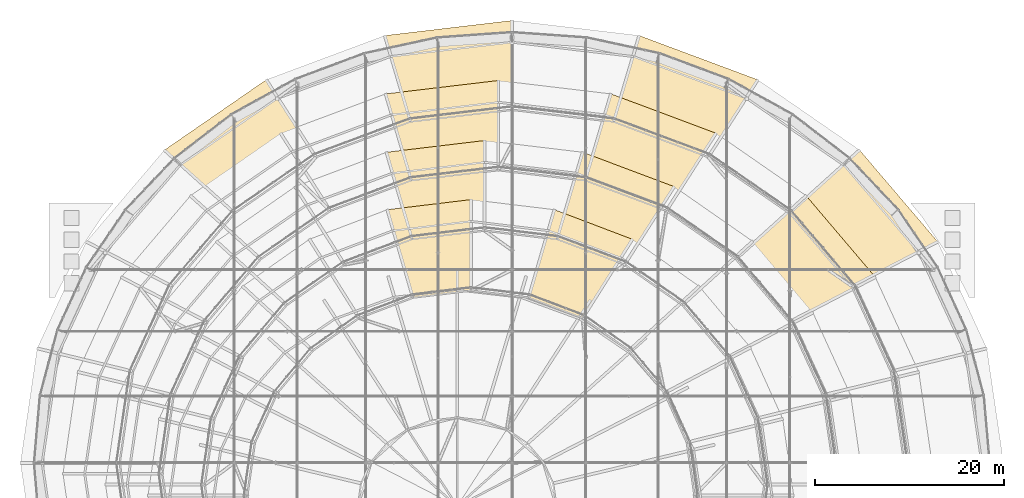
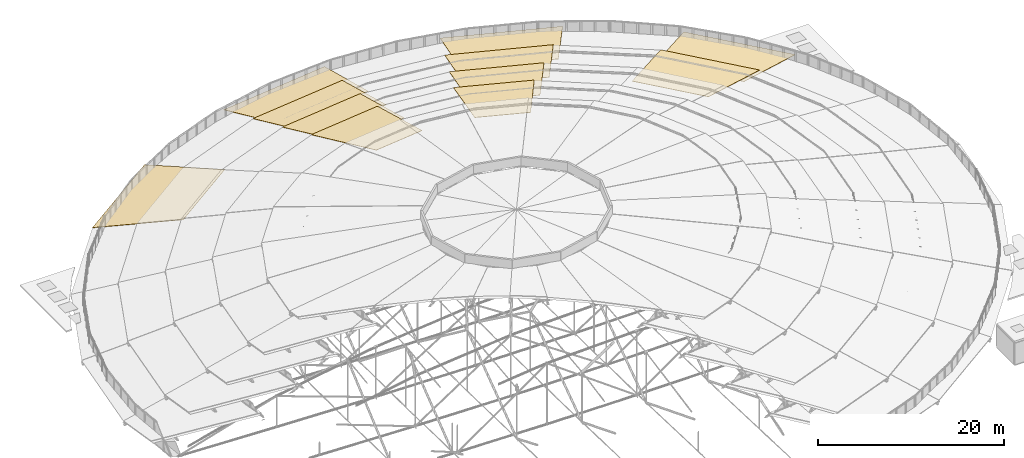
# One storey, part 173 of 173: 11 coverings.
"""IFC4 building model written with IfcOpenShell, lengths in metres."""

from ifc_helpers import new_model, si_unit, direction, frame, origin, place, context, subcontext, project, spatial, polyline, outline, extrude, material, layer, layer_set, type_object, element, save


model = new_model("IFC4")

# Units and contexts
model_context = context("Model", 3, precision=1e-05, world=origin(), true_north=direction((0.0, 1.0)))
body_context = subcontext(model_context, "Body", "Model", "MODEL_VIEW")
ifc_project = project(units=[si_unit("LENGTHUNIT", "METRE"), si_unit("AREAUNIT", "SQUARE_METRE"), si_unit("VOLUMEUNIT", "CUBIC_METRE"), si_unit("PLANEANGLEUNIT", "RADIAN"), si_unit("MASSUNIT", "GRAM", prefix="KILO")], contexts=[model_context])

# Site, building, storey
site_placement = place(None, origin())
site = spatial("IfcSite", under=ifc_project, at=site_placement, CompositionType="ELEMENT")
building_placement = place(site_placement, origin())
building = spatial("IfcBuilding", under=site, at=building_placement, Name="Glasvene Arena", CompositionType="ELEMENT")
storey_placement = place(building_placement, frame((0.0, 0.0, 28.800048828125)))
storey = spatial("IfcBuildingStorey", under=building, at=storey_placement, Name="RF", CompositionType="ELEMENT", Elevation=28.800048828125)

# Coverings
ifc_material = material(Name="Smooth matte white insulated roof panel")
ifc_layer = layer(ifc_material, 0.0400390625)
ifc_layer_set = layer_set([ifc_layer], Name="Smooth matte white insulated roof panel")
covering_type = type_object("IfcCoveringType", Name="COV-ROOF-PETAL", PredefinedType="ROOFING", material=ifc_layer_set)
covering_1_placement = place(storey_placement, frame((137.033203125, 96.39990234375, 0.0400390625), z_axis=(0.184821301548, 0.157573849317, 0.970057507834), x_axis=(-0.64878442939, 0.760972249285, -1.48321e-07)))
element("IfcCovering", 1, at=covering_1_placement, inside=storey, type_object=covering_type, Name="Matte white petal roof membrane 1-03", PredefinedType="ROOFING", context=body_context, shape_type="SweptSolid", body=[
    extrude(outline(polyline([(0.0, 0.0), (12.737161776082907, 0.0), (12.46918601935394, 10.293353925118693), (2.304083837361431, 10.293339939019024), (0.0, 0.0)])), origin(), (0.0, 0.0, -1.0), 0.0400390625),
])
covering_2_placement = place(storey_placement, frame((118.0, 113.530029296875, 0.0400390625), z_axis=(0.088876093687, 0.238411353806, 0.967088965063), x_axis=(-0.937009571992, 0.349303681624, -2.20372e-07)))
element("IfcCovering", 2, at=covering_2_placement, inside=storey, type_object=covering_type, Name="Matte white petal roof membrane 1-05", PredefinedType="ROOFING", context=body_context, shape_type="SweptSolid", body=[
    extrude(outline(polyline([(0.0, 0.0), (13.384606253981396, 0.0), (12.742537220942722, 9.825569358369075), (2.0606549970171906, 9.825548514118092), (0.0, 0.0)])), origin(), (0.0, 0.0, -1.0), 0.0400390625),
])
covering_3_placement = place(storey_placement, frame((92.0, 119.800048828125, 0.0400390625), z_axis=(-0.030290710869, 0.255636062325, 0.966298440687), x_axis=(-0.993052876715, -0.117668959578, 1.57217e-07)))
element("IfcCovering", 3, at=covering_3_placement, inside=storey, type_object=covering_type, Name="Matte white petal roof membrane 1-07", PredefinedType="ROOFING", context=body_context, shape_type="SweptSolid", body=[
    extrude(outline(polyline([(0.0, 0.0), (13.552648077575917, -2.220446049250313e-16), (11.928072174230536, 9.711581693708933), (1.1119663155016197, 9.711596576464993), (0.0, 0.0)])), origin(), (0.0, 0.0, -1.0), 0.0400390625),
])
covering_4_placement = place(storey_placement, frame((66.0, 113.530029296875, 0.0400390625), z_axis=(-0.141586340681, 0.205016773168, 0.968463438057), x_axis=(-0.822846991231, -0.568262992831, -4.6396e-07)))
element("IfcCovering", 4, at=covering_4_placement, inside=storey, type_object=covering_type, Name="Matte white petal roof membrane 1-09", PredefinedType="ROOFING", context=body_context, shape_type="SweptSolid", body=[
    extrude(outline(polyline([(0.0, 0.0), (13.088132395215418, 8.881784197001252e-16), (10.776060498855626, 10.033905998163355), (0.33062434870891233, 10.033862175654544), (0.0, 0.0)])), origin(), (0.0, 0.0, -1.0), 0.0400390625),
])
covering_5_placement = place(storey_placement, frame((130.430419921875, 92.64990234375, 2.58984375), z_axis=(0.188316180277, 0.159951608972, 0.968995613526), x_axis=(-0.647378458632, 0.762168702648, 1.783524e-06)))
element("IfcCovering", 5, at=covering_5_placement, inside=storey, type_object=covering_type, Name="Matte white petal roof membrane 2-03", PredefinedType="ROOFING", context=body_context, shape_type="SweptSolid", body=[
    extrude(outline(polyline([(0.0, 0.0), (11.304224319809745, 8.881784197001252e-16), (10.998840124302076, 10.320748859516554), (2.272067256214792, 10.320893452621474), (0.0, 0.0)])), origin(), (0.0, 0.0, -1.0), 0.0400390625),
])
covering_6_placement = place(storey_placement, frame((113.574951171875, 107.876708984375, 2.58984375), z_axis=(0.090556143919, 0.242012442976, 0.966038074945), x_axis=(-0.936582673226, 0.350446709519, 8.80965e-07)))
element("IfcCovering", 6, at=covering_6_placement, inside=storey, type_object=covering_type, Name="Matte white petal roof membrane 2-05", PredefinedType="ROOFING", context=body_context, shape_type="SweptSolid", body=[
    extrude(outline(polyline([(0.0, 0.0), (11.858477260696848, -1.3322676295501878e-15), (11.1928392779171, 9.868580889896098), (2.0382818778191396, 9.86865252983419), (0.0, 0.0)])), origin(), (0.0, 0.0, -1.0), 0.0400390625),
])
covering_7_placement = place(storey_placement, frame((90.550048828125, 113.449951171875, 2.58984375), z_axis=(-0.030861724385, 0.259498865636, 0.965250171045), x_axis=(-0.993002089126, -0.118096786538, 2.33466e-07)))
element("IfcCovering", 7, at=covering_7_placement, inside=storey, type_object=covering_type, Name="Matte white petal roof membrane 2-07", PredefinedType="ROOFING", context=body_context, shape_type="SweptSolid", body=[
    extrude(outline(polyline([(0.0, 0.0), (12.002695051684594, -2.220446049250313e-16), (10.385956620920558, 9.758045220706213), (1.1201901340628957, 9.758064221636513), (0.0, 0.0)])), origin(), (0.0, 0.0, -1.0), 0.0400390625),
])
covering_8_placement = place(storey_placement, frame((109.14990234375, 102.223388671875, 5.18994140625), z_axis=(0.092239409946, 0.245322128002, 0.965043493717), x_axis=(-0.936027495849, 0.351926877353, 3.288409e-06)))
element("IfcCovering", 8, at=covering_8_placement, inside=storey, type_object=covering_type, Name="Matte white petal roof membrane 3-05", PredefinedType="ROOFING", context=body_context, shape_type="SweptSolid", body=[
    extrude(outline(polyline([(0.0, 0.0), (10.332371125943943, -4.440892098500626e-16), (9.636117820220973, 9.920516254065443), (2.0092096115727465, 9.920741586952598), (0.0, 0.0)])), origin(), (0.0, 0.0, -1.0), 0.0400390625),
])
covering_9_placement = place(storey_placement, frame((89.10009765625, 107.10009765625, 5.18994140625), z_axis=(-0.031438389845, 0.26305220972, 0.964269237612), x_axis=(-0.9929329404, -0.118676770531, 2.047001e-06)))
element("IfcCovering", 9, at=covering_9_placement, inside=storey, type_object=covering_type, Name="Matte white petal roof membrane 3-07", PredefinedType="ROOFING", context=body_context, shape_type="SweptSolid", body=[
    extrude(outline(polyline([(0.0, 0.0), (10.45253146983118, 2.220446049250313e-16), (8.846786250327996, 9.814427833740323), (1.1311432915254722, 9.814568214551334), (0.0, 0.0)])), origin(), (0.0, 0.0, -1.0), 0.0400390625),
])
covering_10_placement = place(storey_placement, frame((104.72509765625, 96.656494140625, 7.83984375), z_axis=(0.093948071911, 0.247459862815, 0.964332606563), x_axis=(-0.93489110283, 0.354934678285, -9.02427e-07)))
element("IfcCovering", 10, at=covering_10_placement, inside=storey, type_object=covering_type, Name="Matte white petal roof membrane 4-05", PredefinedType="ROOFING", context=body_context, shape_type="SweptSolid", body=[
    extrude(outline(polyline([(0.0, 0.0), (8.809933985481692, -4.440892098500626e-16), (8.05140373283526, 10.012162079640369), (1.9500691813464246, 10.012111242250405), (0.0, 0.0)])), origin(), (0.0, 0.0, -1.0), 0.0400390625),
])
covering_11_placement = place(storey_placement, frame((87.64990234375, 100.85009765625, 7.83984375), z_axis=(-0.032020622194, 0.265358888958, 0.963617839086), x_axis=(-0.992796778557, -0.119810502368, 2.917372e-06)))
element("IfcCovering", 11, at=covering_11_placement, inside=storey, type_object=covering_type, Name="Matte white petal roof membrane 4-07", PredefinedType="ROOFING", context=body_context, shape_type="SweptSolid", body=[
    extrude(outline(polyline([(0.0, 0.0), (8.902752406971896, 2.220446049250313e-16), (7.318522818011392, 9.915021295174576), (1.1530375637016672, 9.915185763240721), (0.0, 0.0)])), origin(), (0.0, 0.0, -1.0), 0.0400390625),
])

save(model, "model.ifc")
